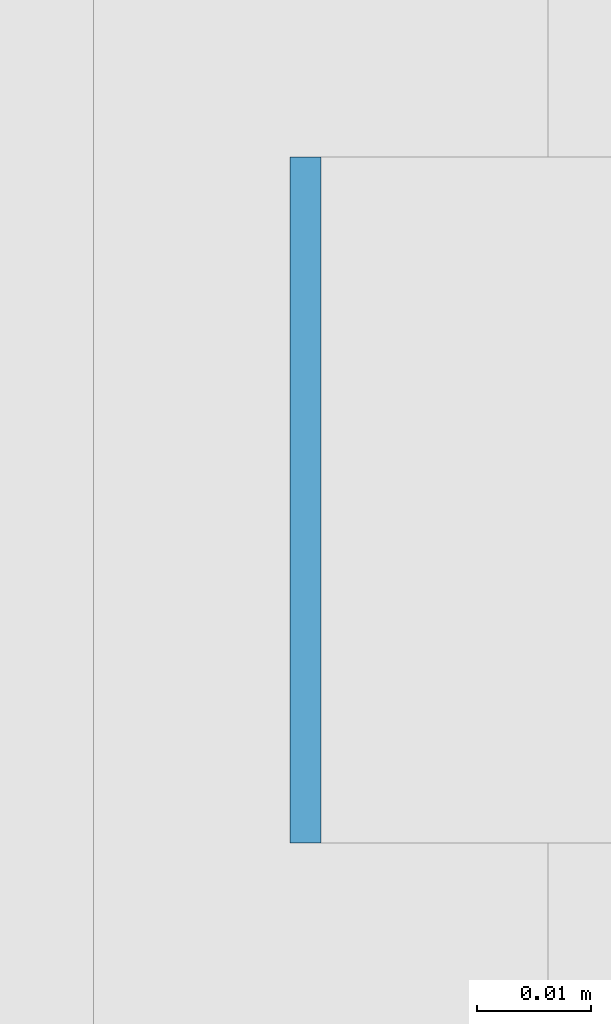
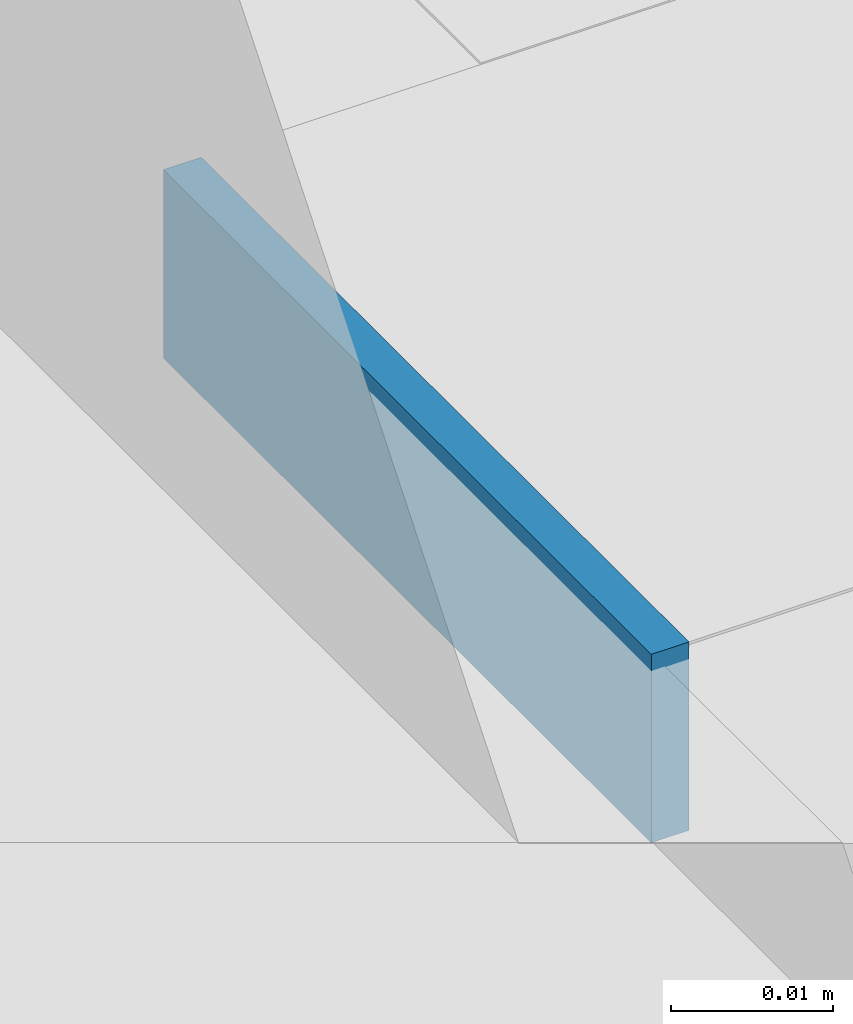
# One storey, part 591 of 646: 1 discrete accessory.
"""IFC4 building model written with IfcOpenShell, lengths in metres."""

from ifc_helpers import new_model, si_unit, direction, frame, origin, origin_2d, place, context, subcontext, project, spatial, rectangle, extrude, material, type_object, element, save


model = new_model("IFC4")

# Units and contexts
model_context = context("Model", 3, precision=1e-05, world=origin(), true_north=direction((0.0, 1.0)))
body_context = subcontext(model_context, "Body", "Model", "MODEL_VIEW")
ifc_project = project(units=[si_unit("LENGTHUNIT", "METRE"), si_unit("AREAUNIT", "SQUARE_METRE"), si_unit("VOLUMEUNIT", "CUBIC_METRE"), si_unit("PLANEANGLEUNIT", "RADIAN"), si_unit("MASSUNIT", "GRAM", prefix="KILO")], contexts=[model_context])

# Site, building, storey
site_placement = place(None, origin())
site = spatial("IfcSite", under=ifc_project, at=site_placement, CompositionType="ELEMENT")
building_placement = place(site_placement, origin())
building = spatial("IfcBuilding", under=site, at=building_placement, Name="Silverbay Arena", CompositionType="ELEMENT")
storey_placement = place(building_placement, frame((0.0, 0.0, 33.5)))
storey = spatial("IfcBuildingStorey", under=building, at=storey_placement, Name="L05", CompositionType="ELEMENT", Elevation=33.5)

# Discrete accessory
ifc_material = material(Name="Steel S355", Category="steel")
discrete_accessory_type = type_object("IfcDiscreteAccessoryType", Name="Steel bracket plate", PredefinedType="BRACKET", material=ifc_material)
discrete_accessory_placement = place(storey_placement, frame((207.128662109375, 118.28564453125, 12.98583984375), z_axis=(0.0, 0.0, 1.0), x_axis=(1.0, 0.0, 0.0)))
element("IfcDiscreteAccessory", 1, at=discrete_accessory_placement, inside=storey, type_object=discrete_accessory_type, Name="Curtain wall packing plate", PredefinedType="BRACKET", context=body_context, shape_type="SweptSolid", body=[
    extrude(rectangle(XDim=0.002685546875, YDim=0.06005859375, at=origin_2d()), origin(), (0.0, 0.0, 1.0), 0.01416015625),
])

save(model, "model.ifc")
